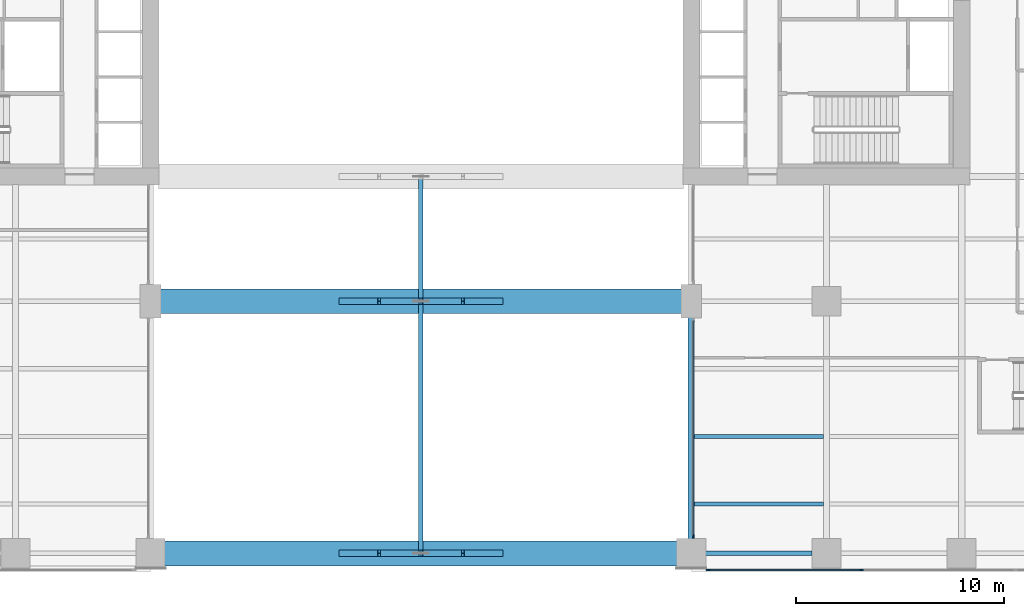
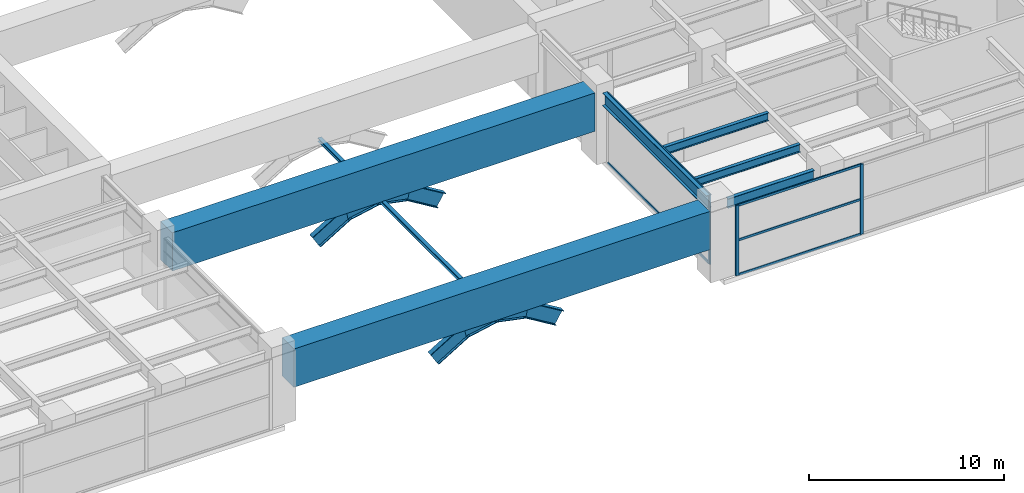
# One storey, part 3 of 23: 18 members, 6 beams, 2 elements without a shape of their own.
"""IFC4 building model written with IfcOpenShell, lengths in metres."""

import ifcopenshell
import ifcopenshell.guid

model = None  # the IFC model being written
_history = None  # IfcOwnerHistory: only IFC2X3 demands one
_inside = {}  # id of a spatial element -> (the spatial element, [elements in it])
_under = {}  # id of a project, library or spatial element -> (it, [spatial elements below it])
_declared = {}  # id of a project -> (the project, [libraries it declares])
_typed = {}  # id of a type object -> (the type object, [elements of that type])
_made_of = {}  # id of a material, layer set ... -> (it, [elements and type objects made of it])


def new_model(schema):
    """Start an empty IFC model of exactly this schema.

    Asked for "IFC4X3", IfcOpenShell would pick the latest addendum, in which some entities
    have other attributes; the version numbers below select the first issue.
    IFC2X3 requires an IfcOwnerHistory on every rooted entity: one is made here for all.
    """
    global model, _history
    if schema == "IFC4X3":
        model = ifcopenshell.file(schema_version=(4, 3, 0, 0))
    else:
        model = ifcopenshell.file(schema=schema)
    _inside.clear()
    _under.clear()
    _declared.clear()
    _typed.clear()
    _made_of.clear()
    _history = None
    if model.schema == "IFC2X3":
        org = make("IfcOrganization", Name="unknown")
        user = make(
            "IfcPersonAndOrganization",
            ThePerson=make("IfcPerson", FamilyName="unknown"),
            TheOrganization=org,
        )
        app = make(
            "IfcApplication",
            ApplicationDeveloper=org,
            Version="unknown",
            ApplicationFullName="unknown",
            ApplicationIdentifier="unknown",
        )
        _history = make(
            "IfcOwnerHistory",
            OwningUser=user,
            OwningApplication=app,
            ChangeAction="ADDED",
            CreationDate=0,
        )
    return model


def make(cls, **values):
    """One entity of the class cls with the attributes given. An attribute that is None is left unset."""
    return model.create_entity(
        cls, **{name: value for name, value in values.items() if value is not None}
    )


def rooted(cls, **values):
    """An entity with a GlobalId (a new one), such as an element, a storey or a relation."""
    return make(cls, GlobalId=ifcopenshell.guid.new(), OwnerHistory=_history, **values)


def si_unit(unit_type, name, prefix=None):
    """IfcSIUnit, for example si_unit("LENGTHUNIT", "METRE", prefix="MILLI")."""
    return make("IfcSIUnit", UnitType=unit_type, Prefix=prefix, Name=name)


def assignment(units):
    """IfcUnitAssignment: the units of a project."""
    return None if units is None else make("IfcUnitAssignment", Units=units)


def point(xyz):
    """IfcCartesianPoint."""
    return None if xyz is None else make("IfcCartesianPoint", Coordinates=xyz)


def direction(xyz):
    """IfcDirection."""
    return None if xyz is None else make("IfcDirection", DirectionRatios=xyz)


def frame(location, z_axis=None, x_axis=None):
    """IfcAxis2Placement3D, a coordinate frame: its origin and axes. An axis left out is left unset."""
    return make(
        "IfcAxis2Placement3D",
        Location=point(location),
        Axis=direction(z_axis),
        RefDirection=direction(x_axis),
    )


def frame_2d(location, x_axis=None):
    """IfcAxis2Placement2D, a coordinate frame in the plane: its origin and x axis."""
    return make(
        "IfcAxis2Placement2D", Location=point(location), RefDirection=direction(x_axis)
    )


def origin():
    """The frame at (0, 0, 0) with its axes left unset."""
    return frame((0.0, 0.0, 0.0))


def origin_2d():
    """The frame at (0, 0) in the plane with its x axis left unset."""
    return frame_2d((0.0, 0.0))


def place(relative_to, where):
    """IfcLocalPlacement: puts the frame where relative to a parent placement (None: the world)."""
    return make(
        "IfcLocalPlacement", PlacementRelTo=relative_to, RelativePlacement=where
    )


def context(
    kind, dimensions, precision=None, world=None, true_north=None, identifier=None
):
    """IfcGeometricRepresentationContext, for example the 3D "Model" context."""
    return make(
        "IfcGeometricRepresentationContext",
        ContextIdentifier=identifier,
        ContextType=kind,
        CoordinateSpaceDimension=dimensions,
        Precision=precision,
        WorldCoordinateSystem=world,
        TrueNorth=true_north,
    )


def subcontext(parent, identifier, kind, view, scale=None):
    """IfcGeometricRepresentationSubContext, for example "Body" below "Model"."""
    return make(
        "IfcGeometricRepresentationSubContext",
        ContextIdentifier=identifier,
        ContextType=kind,
        ParentContext=parent,
        TargetScale=scale,
        TargetView=view,
    )


def project(units=None, contexts=None):
    """IfcProject with its units and contexts."""
    return rooted(
        "IfcProject",
        Name="project",
        RepresentationContexts=contexts,
        UnitsInContext=assignment(units),
    )


def spatial(cls, under=None, at=None, **own):
    """A site, building, storey or space (cls), placed at a placement, below another one or the project."""
    s = rooted(cls, ObjectPlacement=at, **own)
    if under is not None:
        _under.setdefault(under.id(), (under, []))[1].append(s)
    return s


def profile(cls, at=None, kind="AREA", **sizes):
    """A parametric profile (cls). Its sizes go by their IFC names, for example OverallWidth=200.0."""
    return make(cls, ProfileType=kind, Position=at, **sizes)


def rectangle(**sizes):
    """IfcRectangleProfileDef."""
    return profile("IfcRectangleProfileDef", **sizes)


def i_section(**sizes):
    """IfcIShapeProfileDef."""
    return profile("IfcIShapeProfileDef", **sizes)


def extrude(swept, where, along, depth):
    """IfcExtrudedAreaSolid: the profile swept, set in the frame where, extruded along a direction by depth."""
    return make(
        "IfcExtrudedAreaSolid",
        SweptArea=swept,
        Position=where,
        ExtrudedDirection=direction(along),
        Depth=depth,
    )


def shape(context_of_items, identifier, shape_type, items):
    """IfcShapeRepresentation: the items that make up one representation, for example the "Body"."""
    return make(
        "IfcShapeRepresentation",
        ContextOfItems=context_of_items,
        RepresentationIdentifier=identifier,
        RepresentationType=shape_type,
        Items=items,
    )


def material(Name=None, Category=None):
    """IfcMaterial."""
    return make("IfcMaterial", Name=Name, Category=Category)


def layer(
    of_material, thickness, ventilated=None, Name=None, Category=None, Priority=None
):
    """IfcMaterialLayer: one layer of a wall or slab, of a material (None: an air gap)."""
    return make(
        "IfcMaterialLayer",
        Material=of_material,
        LayerThickness=thickness,
        IsVentilated=ventilated,
        Name=Name,
        Category=Category,
        Priority=Priority,
    )


def layer_set(layers, Name=None):
    """IfcMaterialLayerSet."""
    return make("IfcMaterialLayerSet", MaterialLayers=layers, LayerSetName=Name)


def material_profile(
    of_material, cross_section, Name=None, Category=None, Priority=None
):
    """IfcMaterialProfile: a cross section and its material."""
    return make(
        "IfcMaterialProfile",
        Name=Name,
        Material=of_material,
        Profile=cross_section,
        Priority=Priority,
        Category=Category,
    )


def profile_set(profiles, Name=None, composite=None):
    """IfcMaterialProfileSet."""
    return make(
        "IfcMaterialProfileSet",
        Name=Name,
        MaterialProfiles=profiles,
        CompositeProfile=composite,
    )


def made_of(thing, what):
    """Note that an element or type object is made of a material, layer set ...; save() writes the relation."""
    if what is not None:
        _made_of.setdefault(what.id(), (what, []))[1].append(thing)
    return thing


def type_object(cls, material=None, **own):
    """A type object (cls), such as IfcWallType, which elements share."""
    return made_of(rooted(cls, **own), material)


def element(
    cls,
    number,
    at=None,
    inside=None,
    cuts=None,
    type_object=None,
    material=None,
    context=None,
    identifier="Body",
    shape_type=None,
    held_by="IfcProductDefinitionShape",
    body=None,
    shapes=None,
    **own,
):
    """One element of the class cls, such as IfcWall. Its Tag is "e" and its number.

    at: its placement. inside: the storey or other place that contains it. cuts: it is an
    opening in that element (IfcRelVoidsElement). A single representation is given by context,
    identifier, shape_type and body (its items); several are given by shapes. held_by: the class
    of the entity that holds the representations. save() writes the other relations.
    """
    e = rooted(cls, Tag="e%d" % number, ObjectPlacement=at, **own)
    if body is not None:
        shapes = [shape(context, identifier, shape_type, body)]
    if shapes is not None:
        e.Representation = make(held_by, Representations=shapes)
    if inside is not None:
        _inside.setdefault(inside.id(), (inside, []))[1].append(e)
    if cuts is not None:
        rooted(
            "IfcRelVoidsElement", RelatingBuildingElement=cuts, RelatedOpeningElement=e
        )
    if type_object is not None:
        _typed.setdefault(type_object.id(), (type_object, []))[1].append(e)
    return made_of(e, material)


def aggregate(whole, parts):
    """IfcRelAggregates: a whole, such as a stair, and the parts it consists of."""
    return rooted("IfcRelAggregates", RelatingObject=whole, RelatedObjects=parts)


def save(model, path):
    """Write the relations noted so far, then the file.

    IfcRelAggregates (storeys below a building ...), IfcRelContainedInSpatialStructure (elements
    in a storey), IfcRelDefinesByType, IfcRelAssociatesMaterial and IfcRelDeclares: one each for
    every whole, place, type object, material and project.
    """
    for whole, parts in _under.values():
        aggregate(whole, parts)
    for where, things in _inside.values():
        rooted(
            "IfcRelContainedInSpatialStructure",
            RelatedElements=things,
            RelatingStructure=where,
        )
    for kind, things in _typed.values():
        rooted("IfcRelDefinesByType", RelatedObjects=things, RelatingType=kind)
    for what, things in _made_of.values():
        rooted("IfcRelAssociatesMaterial", RelatedObjects=things, RelatingMaterial=what)
    for by, libraries in _declared.values():
        rooted("IfcRelDeclares", RelatingContext=by, RelatedDefinitions=libraries)
    model.write(path)


model = new_model("IFC4")

# Units and contexts
model_context = context("Model", 3, precision=1e-05, world=origin(), true_north=direction((0.0, 1.0)))
body_context = subcontext(model_context, "Body", "Model", "MODEL_VIEW")
ifc_project = project(units=[si_unit("LENGTHUNIT", "METRE"), si_unit("AREAUNIT", "SQUARE_METRE"), si_unit("VOLUMEUNIT", "CUBIC_METRE"), si_unit("PLANEANGLEUNIT", "RADIAN"), si_unit("MASSUNIT", "GRAM", prefix="KILO")], contexts=[model_context])

# Site, building, storey
site_placement = place(None, origin())
site = spatial("IfcSite", under=ifc_project, at=site_placement, CompositionType="ELEMENT")
building_placement = place(site_placement, origin())
building = spatial("IfcBuilding", under=site, at=building_placement, Name="Putna Gate Headquarters", CompositionType="ELEMENT")
storey_placement = place(building_placement, frame((0.0, 0.0, 17.0)))
storey = spatial("IfcBuildingStorey", under=building, at=storey_placement, Name="L03", CompositionType="ELEMENT", Elevation=17.0)

# Beams
ifc_material_1 = material(Name="Steel S355J2", Category="steel")
ifc_material_profile_1 = material_profile(ifc_material_1, i_section(OverallWidth=0.300048828125, OverallDepth=0.800048828125, WebThickness=0.017578125, FlangeThickness=0.032958984375, at=origin_2d()), Name="Steel S355J2")
ifc_profile_set_1 = profile_set([ifc_material_profile_1], Name="Steel S355J2")
beam_type_1 = type_object("IfcBeamType", Name="BM-GIRD-P-HEB800", PredefinedType="USERDEFINED", material=ifc_profile_set_1)
beam_1_placement = place(storey_placement, frame((52.0, 1.568115234375, 4.0), z_axis=(0.0, 1.0, 0.0), x_axis=(-1.0, 0.0, 0.0)))
element("IfcBeam", 1, at=beam_1_placement, inside=storey, type_object=beam_type_1, Name="L03 South Primary Girder X52-1", ObjectType="GIRDER", PredefinedType="USERDEFINED", context=body_context, shape_type="SweptSolid", body=[
    extrude(i_section(OverallWidth=0.300048828125, OverallDepth=0.800048828125, WebThickness=0.017578125, FlangeThickness=0.032958984375, at=origin_2d()), origin(), (0.0, 0.0, 1.0), 10.643798828125),
])
ifc_material_profile_2 = material_profile(ifc_material_1, i_section(OverallWidth=0.199951171875, OverallDepth=0.5, WebThickness=0.01025390625, FlangeThickness=0.01611328125, at=origin_2d()), Name="Steel S355J2")
ifc_profile_set_2 = profile_set([ifc_material_profile_2], Name="Steel S355J2")
beam_type_2 = type_object("IfcBeamType", Name="BM-SEC-P-IPE500", PredefinedType="BEAM", material=ifc_profile_set_2)
for number, where, z_axis, x_axis, name in (
    (2, (52.154052734375, 3.25, 4.14990234375), (1.0, 0.0, 0.0), (0.0, 1.0, 0.0), "L03 South Secondary Beam 5"),
    (3, (52.154052734375, 6.5, 4.14990234375), (1.0, 0.0, 0.0), (0.0, 1.0, 0.0), "L03 South Secondary Beam 5"),
):
    element("IfcBeam", number, at=place(storey_placement, frame(where, z_axis=z_axis, x_axis=x_axis)), inside=storey, type_object=beam_type_2, Name=name, PredefinedType="BEAM", context=body_context, shape_type="SweptSolid", body=[
        extrude(i_section(OverallWidth=0.199951171875, OverallDepth=0.5, WebThickness=0.01025390625, FlangeThickness=0.01611328125, at=origin_2d()), origin(), (0.0, 0.0, 1.0), 6.19189453125),
    ])
ifc_material_profile_3 = material_profile(ifc_material_1, i_section(OverallWidth=0.219970703125, OverallDepth=0.60009765625, WebThickness=0.011962890625, FlangeThickness=0.01904296875, at=origin_2d()), Name="Steel S355J2")
ifc_profile_set_3 = profile_set([ifc_material_profile_3], Name="Steel S355J2")
beam_type_3 = type_object("IfcBeamType", Name="BM-SPAN-P-IPE600", PredefinedType="SPANDREL", material=ifc_profile_set_3)
beam_2_placement = place(storey_placement, frame((52.68798828125, 0.8798828125, 4.10009765625), z_axis=(1.0, 0.0, 0.0), x_axis=(0.0, 1.0, 0.0)))
element("IfcBeam", 4, at=beam_2_placement, inside=storey, type_object=beam_type_3, Name="L03 S Perimeter Spandrel 5", PredefinedType="SPANDREL", context=body_context, shape_type="SweptSolid", body=[
    extrude(i_section(OverallWidth=0.219970703125, OverallDepth=0.60009765625, WebThickness=0.011962890625, FlangeThickness=0.01904296875, at=origin_2d()), origin(), (0.0, 0.0, 1.0), 5.1240234375),
])
ifc_material_2 = material(Name="Concrete C50/60", Category="concrete")
ifc_material_profile_4 = material_profile(ifc_material_2, rectangle(XDim=1.199951171875, YDim=2.39990234375, at=origin_2d()), Name="Concrete C50/60")
ifc_profile_set_4 = profile_set([ifc_material_profile_4], Name="Concrete C50/60")
beam_type_4 = type_object("IfcBeamType", Name="BM-TG-RC2400", PredefinedType="USERDEFINED", material=ifc_profile_set_4)
beam_3_placement = place(storey_placement, frame((26.47998046875, 13.0, 3.199951171875), z_axis=(1.0, 0.0, 0.0), x_axis=(0.0, 1.0, 0.0)))
element("IfcBeam", 5, at=beam_3_placement, inside=storey, type_object=beam_type_4, Name="L03 Giant Arch Transfer Girder CS", ObjectType="GIRDER", PredefinedType="USERDEFINED", context=body_context, shape_type="SweptSolid", body=[
    extrude(rectangle(XDim=1.199951171875, YDim=2.39990234375, at=origin_2d()), origin(), (0.0, 0.0, 1.0), 25.0400390625),
])
ifc_material_profile_5 = material_profile(ifc_material_2, rectangle(XDim=1.199951171875, YDim=2.39990234375, at=origin_2d()), Name="Concrete C50/60")
ifc_profile_set_5 = profile_set([ifc_material_profile_5], Name="Concrete C50/60")
beam_type_5 = type_object("IfcBeamType", Name="BM-TG-RC2400-EXT", PredefinedType="USERDEFINED", material=ifc_profile_set_5)
beam_4_placement = place(storey_placement, frame((26.679931640625, 0.8798828125, 3.199951171875), z_axis=(1.0, 0.0, 0.0), x_axis=(0.0, 1.0, 0.0)))
element("IfcBeam", 6, at=beam_4_placement, inside=storey, type_object=beam_type_5, Name="L03 Giant Arch Transfer Girder S", ObjectType="GIRDER", PredefinedType="USERDEFINED", context=body_context, shape_type="SweptSolid", body=[
    extrude(rectangle(XDim=1.199951171875, YDim=2.39990234375, at=origin_2d()), origin(), (0.0, 0.0, 1.0), 24.64013671875),
])

# Members
ifc_material_3 = material(Name="Steel S460M", Category="steel")
ifc_material_profile_6 = material_profile(ifc_material_3, i_section(OverallWidth=0.302001953125, OverallDepth=0.909912109375, WebThickness=0.02099609375, FlangeThickness=0.0400390625, at=origin_2d()), Name="Steel S460M")
ifc_profile_set_6 = profile_set([ifc_material_profile_6], Name="Steel S460M")
member_type_1 = type_object("IfcMemberType", Name="MEM-ARCH-CHORD-HEM900", PredefinedType="STRUT", material=ifc_profile_set_6)
member_1_placement = place(storey_placement, frame((35.28564453125, 0.8798828125, 0.447998046875), z_axis=(0.855013592355, 0.0, 0.518605588948), x_axis=(0.0, 1.0, 0.0)))
element("IfcMember", 7, at=member_1_placement, inside=storey, type_object=member_type_1, Name="Giant Parabolic Arch Chord S-6", PredefinedType="STRUT", context=body_context, shape_type="SweptSolid", body=[
    extrude(i_section(OverallWidth=0.302001953125, OverallDepth=0.909912109375, WebThickness=0.02099609375, FlangeThickness=0.0400390625, at=origin_2d()), origin(), (0.0, 0.0, 1.0), 2.172119140625),
])
for number, where, z_axis, x_axis, name in (
    (8, (37.142822265625, 0.8798828125, 1.574462890625), (0.980167187845, 0.0, 0.198172358999), (0.0, 1.0, 0.0), "Giant Parabolic Arch Chord S-7"),
    (9, (39.0, 0.8798828125, 1.949951171875), (0.980167187845, 0.0, -0.198172358999), (0.0, 1.0, 0.0), "Giant Parabolic Arch Chord S-8"),
):
    element("IfcMember", number, at=place(storey_placement, frame(where, z_axis=z_axis, x_axis=x_axis)), inside=storey, type_object=member_type_1, Name=name, PredefinedType="STRUT", context=body_context, shape_type="SweptSolid", body=[
        extrude(i_section(OverallWidth=0.302001953125, OverallDepth=0.909912109375, WebThickness=0.02099609375, FlangeThickness=0.0400390625, at=origin_2d()), origin(), (0.0, 0.0, 1.0), 1.894775390625),
    ])
member_2_placement = place(storey_placement, frame((40.857177734375, 0.8798828125, 1.574462890625), z_axis=(0.855013592355, 0.0, -0.518605588948), x_axis=(0.0, 1.0, 0.0)))
element("IfcMember", 10, at=member_2_placement, inside=storey, type_object=member_type_1, Name="Giant Parabolic Arch Chord S-9", PredefinedType="STRUT", context=body_context, shape_type="SweptSolid", body=[
    extrude(i_section(OverallWidth=0.302001953125, OverallDepth=0.909912109375, WebThickness=0.02099609375, FlangeThickness=0.0400390625, at=origin_2d()), origin(), (0.0, 0.0, 1.0), 2.172119140625),
])
ifc_material_profile_7 = material_profile(ifc_material_3, i_section(OverallWidth=0.302001953125, OverallDepth=0.909912109375, WebThickness=0.02099609375, FlangeThickness=0.0400390625, at=origin_2d()), Name="Steel S460M")
ifc_profile_set_7 = profile_set([ifc_material_profile_7], Name="Steel S460M")
member_type_2 = type_object("IfcMemberType", Name="MEM-ARCH-CHORD-INT-HEM900", PredefinedType="STRUT", material=ifc_profile_set_7)
member_3_placement = place(storey_placement, frame((35.28564453125, 13.0, 0.447998046875), z_axis=(0.855013592355, 0.0, 0.518605588948), x_axis=(0.0, 1.0, 0.0)))
element("IfcMember", 11, at=member_3_placement, inside=storey, type_object=member_type_2, Name="Giant Parabolic Arch Chord CS-6", PredefinedType="STRUT", context=body_context, shape_type="SweptSolid", body=[
    extrude(i_section(OverallWidth=0.302001953125, OverallDepth=0.909912109375, WebThickness=0.02099609375, FlangeThickness=0.0400390625, at=origin_2d()), origin(), (0.0, 0.0, 1.0), 2.172119140625),
])
for number, where, z_axis, x_axis, name in (
    (12, (37.142822265625, 13.0, 1.574462890625), (0.980167187845, 0.0, 0.198172358999), (0.0, 1.0, 0.0), "Giant Parabolic Arch Chord CS-7"),
    (13, (39.0, 13.0, 1.949951171875), (0.980167187845, 0.0, -0.198172358999), (0.0, 1.0, 0.0), "Giant Parabolic Arch Chord CS-8"),
):
    element("IfcMember", number, at=place(storey_placement, frame(where, z_axis=z_axis, x_axis=x_axis)), inside=storey, type_object=member_type_2, Name=name, PredefinedType="STRUT", context=body_context, shape_type="SweptSolid", body=[
        extrude(i_section(OverallWidth=0.302001953125, OverallDepth=0.909912109375, WebThickness=0.02099609375, FlangeThickness=0.0400390625, at=origin_2d()), origin(), (0.0, 0.0, 1.0), 1.894775390625),
    ])
member_4_placement = place(storey_placement, frame((40.857177734375, 13.0, 1.574462890625), z_axis=(0.855013592355, 0.0, -0.518605588948), x_axis=(0.0, 1.0, 0.0)))
element("IfcMember", 14, at=member_4_placement, inside=storey, type_object=member_type_2, Name="Giant Parabolic Arch Chord CS-9", PredefinedType="STRUT", context=body_context, shape_type="SweptSolid", body=[
    extrude(i_section(OverallWidth=0.302001953125, OverallDepth=0.909912109375, WebThickness=0.02099609375, FlangeThickness=0.0400390625, at=origin_2d()), origin(), (0.0, 0.0, 1.0), 2.172119140625),
])
ifc_material_profile_8 = material_profile(ifc_material_3, i_section(OverallWidth=0.219970703125, OverallDepth=0.219970703125, WebThickness=0.009521484375, FlangeThickness=0.01611328125, at=origin_2d()), Name="Steel S460M")
ifc_profile_set_8 = profile_set([ifc_material_profile_8], Name="Steel S460M")
member_type_3 = type_object("IfcMemberType", Name="MEM-ARCH-TIE-HEB220", PredefinedType="STRUT", material=ifc_profile_set_8)
member_5_placement = place(storey_placement, frame((39.0, 0.889892578125, 1.89990234375), z_axis=(0.0, 1.0, 0.0), x_axis=(-1.0, 0.0, 0.0)))
element("IfcMember", 15, at=member_5_placement, inside=storey, type_object=member_type_3, Name="Giant Arch Crown Tie Strut 1", PredefinedType="STRUT", context=body_context, shape_type="SweptSolid", body=[
    extrude(i_section(OverallWidth=0.219970703125, OverallDepth=0.219970703125, WebThickness=0.009521484375, FlangeThickness=0.01611328125, at=origin_2d()), origin(), (0.0, 0.0, 1.0), 12.10009765625),
])
member_6_placement = place(storey_placement, frame((39.0, 13.010009765625, 1.89990234375), z_axis=(0.0, 1.0, 0.0), x_axis=(-1.0, 0.0, 0.0)))
element("IfcMember", 16, at=member_6_placement, inside=storey, type_object=member_type_3, Name="Giant Arch Crown Tie Strut 2", PredefinedType="STRUT", context=body_context, shape_type="SweptSolid", body=[
    extrude(i_section(OverallWidth=0.219970703125, OverallDepth=0.219970703125, WebThickness=0.009521484375, FlangeThickness=0.01611328125, at=origin_2d()), origin(), (0.0, 0.0, 1.0), 5.97998046875),
])

# Curtain wall, member
ifc_material_4 = material(Name="Anodised bronze aluminium curtain wall", Category="aluminium")
ifc_layer_1 = layer(ifc_material_4, 0.179931640625)
ifc_layer_set_1 = layer_set([ifc_layer_1], Name="Anodised bronze aluminium curtain wall")
curtain_wall_type_1 = type_object("IfcCurtainWallType", Name="CW-SYS-ATR", PredefinedType="USERDEFINED", material=ifc_layer_set_1)
curtain_wall_1_placement = place(storey_placement, origin())
curtain_wall_1 = element("IfcCurtainWall", 17, at=curtain_wall_1_placement, inside=storey, type_object=curtain_wall_type_1, Name="L03 Arch Flank Glazing E-S1", ObjectType="ATRIUM GLAZING", PredefinedType="USERDEFINED")
ifc_material_5 = material(Name="Anodised bronze aluminium EN AW-6060", Category="aluminium")
ifc_material_profile_9 = material_profile(ifc_material_5, rectangle(XDim=0.070068359375, YDim=0.179931640625, at=origin_2d()), Name="Anodised bronze aluminium EN AW-6060")
ifc_profile_set_9 = profile_set([ifc_material_profile_9], Name="Anodised bronze aluminium EN AW-6060")
member_type_4 = type_object("IfcMemberType", Name="MULL-CWM-AT", PredefinedType="MULLION", material=ifc_profile_set_9)
member_7_placement = place(storey_placement, frame((52.10009765625, 1.68505859375, 0.0), z_axis=(0.0, 0.0, 1.0), x_axis=(-1.0, 0.0, 0.0)))
member_7 = element("IfcMember", 18, at=member_7_placement, type_object=member_type_4, Name="CWS-AT mullion 1", PredefinedType="MULLION", context=body_context, shape_type="SweptSolid", body=[
    extrude(rectangle(XDim=0.070068359375, YDim=0.179931640625, at=origin_2d()), origin(), (0.0, 0.0, 1.0), 4.39990234375),
])

# Curtain wall, members
ifc_layer_2 = layer(ifc_material_4, 0.179931640625)
ifc_layer_set_2 = layer_set([ifc_layer_2], Name="Anodised bronze aluminium curtain wall")
curtain_wall_type_2 = type_object("IfcCurtainWallType", Name="CW-SYS-POD", PredefinedType="USERDEFINED", material=ifc_layer_set_2)
curtain_wall_2_placement = place(storey_placement, origin())
curtain_wall_2 = element("IfcCurtainWall", 19, at=curtain_wall_2_placement, inside=storey, type_object=curtain_wall_type_2, Name="L03 South East Curtain Wall", ObjectType="STICK CURTAIN WALL", PredefinedType="USERDEFINED")
ifc_material_profile_10 = material_profile(ifc_material_5, rectangle(XDim=0.070068359375, YDim=0.179931640625, at=origin_2d()), Name="Anodised bronze aluminium EN AW-6060")
ifc_profile_set_10 = profile_set([ifc_material_profile_10], Name="Anodised bronze aluminium EN AW-6060")
member_type_5 = type_object("IfcMemberType", Name="MULL-CWM-P", PredefinedType="MULLION", material=ifc_profile_set_10)
member_8_placement = place(storey_placement, frame((52.81494140625, 0.080078125, 0.0), z_axis=(0.0, 0.0, 1.0), x_axis=(0.0, 1.0, 0.0)))
member_8 = element("IfcMember", 20, at=member_8_placement, type_object=member_type_5, Name="CWS-P mullion 1", PredefinedType="MULLION", context=body_context, shape_type="SweptSolid", body=[
    extrude(rectangle(XDim=0.070068359375, YDim=0.179931640625, at=origin_2d()), origin(), (0.0, 0.0, 1.0), 4.39990234375),
])
member_9_placement = place(storey_placement, frame((60.186767578125, 0.080078125, 0.0), z_axis=(0.0, 0.0, 1.0), x_axis=(0.0, 1.0, 0.0)))
member_9 = element("IfcMember", 21, at=member_9_placement, type_object=member_type_5, Name="CWS-P mullion 2", PredefinedType="MULLION", context=body_context, shape_type="SweptSolid", body=[
    extrude(rectangle(XDim=0.070068359375, YDim=0.179931640625, at=origin_2d()), origin(), (0.0, 0.0, 1.0), 4.39990234375),
])

# Member
ifc_material_profile_11 = material_profile(ifc_material_5, rectangle(XDim=0.070068359375, YDim=0.139892578125, at=origin_2d()), Name="Anodised bronze aluminium EN AW-6060")
ifc_profile_set_11 = profile_set([ifc_material_profile_11], Name="Anodised bronze aluminium EN AW-6060")
member_type_6 = type_object("IfcMemberType", Name="TRAN-CWT-AT", PredefinedType="USERDEFINED", material=ifc_profile_set_11)
member_10_placement = place(storey_placement, frame((52.10009765625, 1.719970703125, 0.034912109375), z_axis=(0.0, 1.0, 0.0), x_axis=(-1.0, 0.0, 0.0)))
member_10 = element("IfcMember", 22, at=member_10_placement, type_object=member_type_6, Name="CWS-AT transom 1.1", ObjectType="TRANSOM", PredefinedType="USERDEFINED", context=body_context, shape_type="SweptSolid", body=[
    extrude(rectangle(XDim=0.070068359375, YDim=0.139892578125, at=origin_2d()), origin(), (0.0, 0.0, 1.0), 10.330078125),
])

member_11_placement = place(storey_placement, frame((52.10009765625, 1.719970703125, 4.364990234375), z_axis=(0.0, 1.0, 0.0), x_axis=(-1.0, 0.0, 0.0)))
member_11 = element("IfcMember", 23, at=member_11_placement, type_object=member_type_6, Name="CWS-AT transom 1.2", ObjectType="TRANSOM", PredefinedType="USERDEFINED", context=body_context, shape_type="SweptSolid", body=[
    extrude(rectangle(XDim=0.070068359375, YDim=0.139892578125, at=origin_2d()), origin(), (0.0, 0.0, 1.0), 10.330078125),
])

aggregate(curtain_wall_1, [member_7, member_10, member_11])

ifc_material_profile_12 = material_profile(ifc_material_5, rectangle(XDim=0.070068359375, YDim=0.139892578125, at=origin_2d()), Name="Anodised bronze aluminium EN AW-6060")
ifc_profile_set_12 = profile_set([ifc_material_profile_12], Name="Anodised bronze aluminium EN AW-6060")
member_type_7 = type_object("IfcMemberType", Name="TRAN-CWT-P", PredefinedType="USERDEFINED", material=ifc_profile_set_12)
member_12_placement = place(storey_placement, frame((52.85009765625, 0.080078125, 0.034912109375), z_axis=(1.0, 0.0, 0.0), x_axis=(0.0, 1.0, 0.0)))
member_12 = element("IfcMember", 24, at=member_12_placement, type_object=member_type_7, Name="CWS-P transom 1.1", ObjectType="TRANSOM", PredefinedType="USERDEFINED", context=body_context, shape_type="SweptSolid", body=[
    extrude(rectangle(XDim=0.070068359375, YDim=0.139892578125, at=origin_2d()), origin(), (0.0, 0.0, 1.0), 7.301513671875),
])

member_13_placement = place(storey_placement, frame((52.85009765625, 0.080078125, 2.199951171875), z_axis=(1.0, 0.0, 0.0), x_axis=(0.0, 1.0, 0.0)))
member_13 = element("IfcMember", 25, at=member_13_placement, type_object=member_type_7, Name="CWS-P transom 1.2", ObjectType="TRANSOM", PredefinedType="USERDEFINED", context=body_context, shape_type="SweptSolid", body=[
    extrude(rectangle(XDim=0.070068359375, YDim=0.139892578125, at=origin_2d()), origin(), (0.0, 0.0, 1.0), 7.301513671875),
])

member_14_placement = place(storey_placement, frame((52.85009765625, 0.080078125, 4.364990234375), z_axis=(1.0, 0.0, 0.0), x_axis=(0.0, 1.0, 0.0)))
member_14 = element("IfcMember", 26, at=member_14_placement, type_object=member_type_7, Name="CWS-P transom 1.3", ObjectType="TRANSOM", PredefinedType="USERDEFINED", context=body_context, shape_type="SweptSolid", body=[
    extrude(rectangle(XDim=0.070068359375, YDim=0.139892578125, at=origin_2d()), origin(), (0.0, 0.0, 1.0), 7.301513671875),
])

aggregate(curtain_wall_2, [member_8, member_9, member_12, member_13, member_14])

save(model, "model.ifc")
